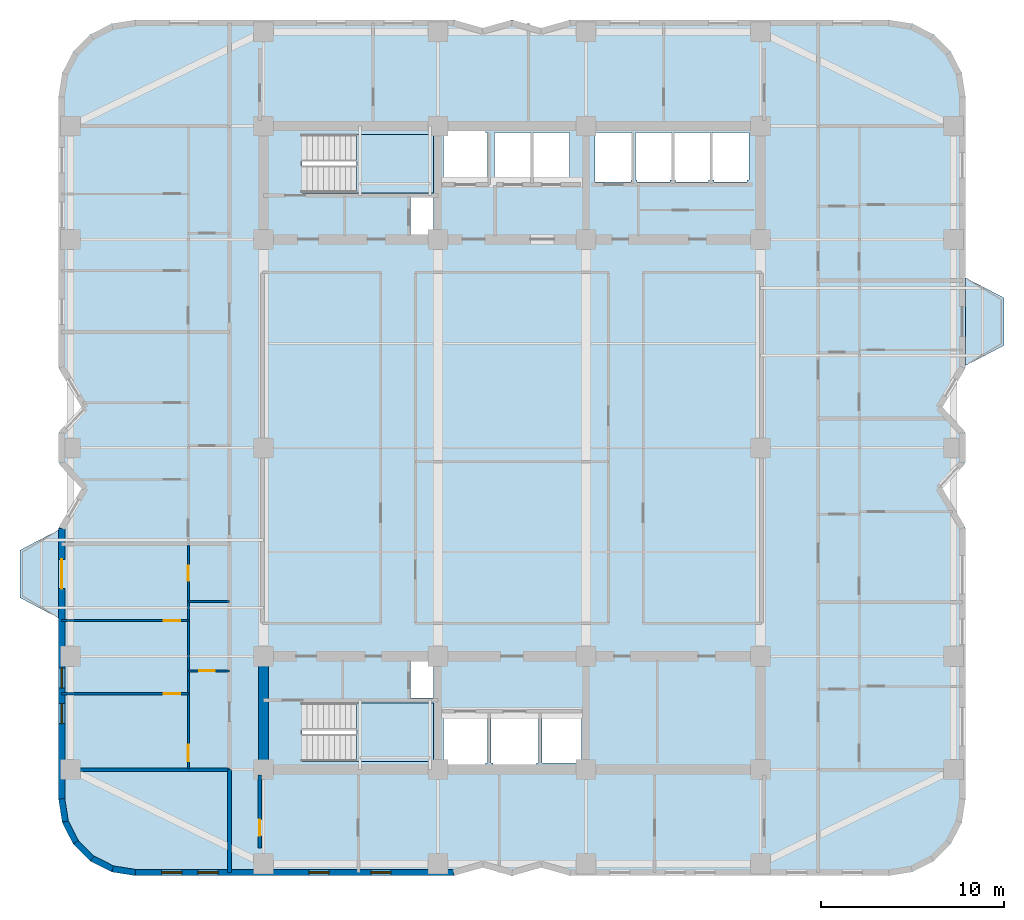
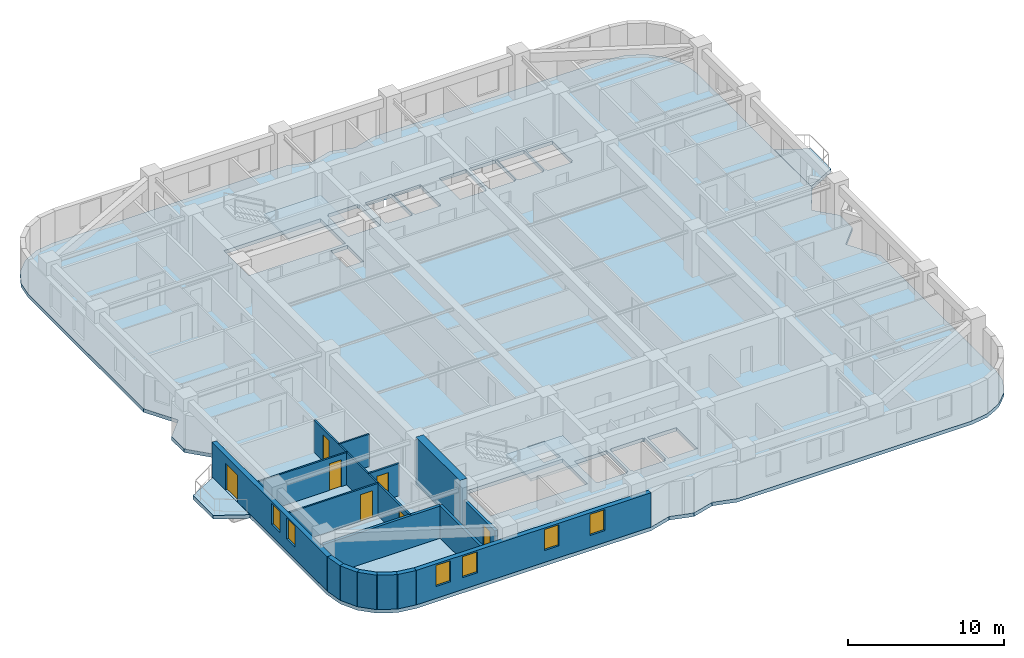
# One storey, part 2 of 10: 16 walls, 7 doors, 6 windows, 5 slabs, 13 openings, 2 elements without a shape of their own.
"""IFC4 building model written with IfcOpenShell, lengths in metres."""

from ifc_helpers import new_model, si_unit, direction, frame, frame_2d, origin, place, context, subcontext, project, spatial, polyline, rectangle, outline, extrude, material, layer, layer_set, type_object, element, fill, aggregate, save


model = new_model("IFC4")

# Units and contexts
model_context = context("Model", 3, precision=1e-05, world=origin(), true_north=direction((0.0, 1.0)))
body_context = subcontext(model_context, "Body", "Model", "MODEL_VIEW")
ifc_project = project(units=[si_unit("LENGTHUNIT", "METRE"), si_unit("AREAUNIT", "SQUARE_METRE"), si_unit("VOLUMEUNIT", "CUBIC_METRE"), si_unit("PLANEANGLEUNIT", "RADIAN"), si_unit("MASSUNIT", "GRAM", prefix="KILO")], contexts=[model_context])

# Site, building, storey
site_placement = place(None, origin())
site = spatial("IfcSite", under=ifc_project, at=site_placement, CompositionType="ELEMENT")
building_placement = place(site_placement, origin())
building = spatial("IfcBuilding", under=site, at=building_placement, Name="Svetorya Sky Lyceum", CompositionType="ELEMENT")
storey_placement = place(building_placement, frame((0.0, 0.0, 114.199951171875)))
storey = spatial("IfcBuildingStorey", under=building, at=storey_placement, Name="L28", CompositionType="ELEMENT", Elevation=114.199951171875)

# Slabs
ifc_material_1 = material(Name="Concrete C40/50", Category="concrete")
ifc_layer_1 = layer(ifc_material_1, 0.280029296875)
ifc_layer_set_1 = layer_set([ifc_layer_1], Name="Concrete C40/50")
slab_type_1 = type_object("IfcSlabType", Name="SL-BAL-280", PredefinedType="FLOOR", material=ifc_layer_set_1)
slab_1_placement = place(storey_placement, frame((0.0, 0.0, -0.280029296875)))
element("IfcSlab", 1, at=slab_1_placement, inside=storey, type_object=slab_type_1, Name="L28 Chamfered Loggia Balcony BAL-W1", PredefinedType="FLOOR", context=body_context, shape_type="SweptSolid", body=[
    extrude(outline(polyline([(14.389892578125, 18.89990234375), (14.389892578125, 23.699951171875), (12.2900390625, 22.60009765625), (12.2900390625, 20.0), (14.389892578125, 18.89990234375)])), origin(), (0.0, 0.0, 1.0), 0.280029296875),
])
slab_2_placement = place(storey_placement, frame((0.0, 0.0, -0.280029296875)))
element("IfcSlab", 2, at=slab_2_placement, inside=storey, type_object=slab_type_1, Name="L28 Chamfered Loggia Balcony BAL-E1", PredefinedType="FLOOR", context=body_context, shape_type="SweptSolid", body=[
    extrude(outline(polyline([(64.010009765625, 32.699951171875), (66.110107421875, 33.800048828125), (66.110107421875, 36.39990234375), (64.010009765625, 37.5), (64.010009765625, 32.699951171875)])), origin(), (0.0, 0.0, 1.0), 0.280029296875),
])

# Stair, slab
stair_type_1 = type_object("IfcStairType", Name="STR-ST-S", PredefinedType="HALF_TURN_STAIR", material=ifc_material_1)
stair_1_placement = place(storey_placement, origin())
stair_1 = element("IfcStair", 3, at=stair_1_placement, inside=storey, type_object=stair_type_1, Name="L28 South Core Smoke-Free Exit Stair N2", PredefinedType="HALF_TURN_STAIR")
ifc_layer_2 = layer(ifc_material_1, 0.199951171875)
ifc_layer_set_2 = layer_set([ifc_layer_2], Name="Concrete C40/50")
slab_type_2 = type_object("IfcSlabType", Name="SL-STR-LAND-200", PredefinedType="LANDING", material=ifc_layer_set_2)
slab_3_placement = place(storey_placement, frame((0.0, 0.0, 1.650146484375)))
slab_3 = element("IfcSlab", 4, at=slab_3_placement, type_object=slab_type_2, Name="ST-S landing 1", PredefinedType="LANDING", context=body_context, shape_type="SweptSolid", body=[
    extrude(outline(polyline([(30.699951171875, 11.050048828125), (34.89990234375, 11.050048828125), (34.89990234375, 14.25), (30.699951171875, 14.25), (30.699951171875, 11.050048828125)])), origin(), (0.0, 0.0, 1.0), 0.199951171875),
])
aggregate(stair_1, [slab_3])

stair_type_2 = type_object("IfcStairType", Name="STR-ST-N", PredefinedType="HALF_TURN_STAIR", material=ifc_material_1)
stair_2_placement = place(storey_placement, origin())
stair_2 = element("IfcStair", 5, at=stair_2_placement, inside=storey, type_object=stair_type_2, Name="L28 North Core Smoke-Free Exit Stair N3", PredefinedType="HALF_TURN_STAIR")
slab_4_placement = place(storey_placement, frame((0.0, 0.0, 1.650146484375)))
slab_4 = element("IfcSlab", 6, at=slab_4_placement, type_object=slab_type_2, Name="ST-N landing 1", PredefinedType="LANDING", context=body_context, shape_type="SweptSolid", body=[
    extrude(outline(polyline([(30.699951171875, 42.14990234375), (34.89990234375, 42.14990234375), (34.89990234375, 45.35009765625), (30.699951171875, 45.35009765625), (30.699951171875, 42.14990234375)])), origin(), (0.0, 0.0, 1.0), 0.199951171875),
])
aggregate(stair_2, [slab_4])

# Slab
ifc_material_2 = material(Name="Concrete C50/60", Category="concrete")
ifc_layer_3 = layer(ifc_material_2, 0.280029296875)
ifc_layer_set_3 = layer_set([ifc_layer_3], Name="Concrete C50/60")
slab_type_3 = type_object("IfcSlabType", Name="SL-TWR-280", PredefinedType="FLOOR", material=ifc_layer_set_3)
slab_5_placement = place(storey_placement, frame((0.0, 0.0, -0.280029296875)))
element("IfcSlab", 7, at=slab_5_placement, inside=storey, type_object=slab_type_3, Name="L28 Structural Floor Slab", PredefinedType="FLOOR", context=body_context, shape_type="SweptSolid", body=[
    extrude(outline(polyline([(14.39990234375, 9.0), (14.605712890625, 7.7021484375), (15.2021484375, 6.53125), (16.13134765625, 5.60205078125), (17.302001953125, 5.005615234375), (18.60009765625, 4.800048828125), (36.0, 4.800048828125), (37.60009765625, 5.25), (39.199951171875, 4.800048828125), (40.800048828125, 5.25), (42.39990234375, 4.800048828125), (59.800048828125, 4.800048828125), (61.097900390625, 5.005615234375), (62.268798828125, 5.60205078125), (63.197998046875, 6.53125), (63.79443359375, 7.7021484375), (64.0, 9.0), (64.0, 23.800048828125), (62.699951171875, 26.0), (64.0, 27.39990234375), (64.0, 29.0), (62.699951171875, 30.39990234375), (64.0, 32.60009765625), (64.0, 47.39990234375), (63.79443359375, 48.697998046875), (63.197998046875, 49.86865234375), (62.268798828125, 50.7978515625), (61.097900390625, 51.394287109375), (59.800048828125, 51.60009765625), (42.39990234375, 51.60009765625), (40.800048828125, 51.14990234375), (39.199951171875, 51.60009765625), (37.60009765625, 51.14990234375), (36.0, 51.60009765625), (18.60009765625, 51.60009765625), (17.302001953125, 51.394287109375), (16.13134765625, 50.7978515625), (15.2021484375, 49.86865234375), (14.605712890625, 48.697998046875), (14.39990234375, 47.39990234375), (14.39990234375, 32.60009765625), (15.699951171875, 30.39990234375), (14.39990234375, 29.0), (14.39990234375, 27.39990234375), (15.699951171875, 26.0), (14.39990234375, 23.800048828125), (14.39990234375, 9.0)]), holes=[polyline([(37.85009765625, 10.949951171875), (37.75, 10.949951171875), (37.75, 10.85009765625), (35.550048828125, 10.85009765625), (35.550048828125, 10.949951171875), (35.449951171875, 10.949951171875), (35.449951171875, 13.64990234375), (35.550048828125, 13.64990234375), (37.75, 13.64990234375), (37.85009765625, 13.64990234375), (37.85009765625, 10.949951171875)]), polyline([(40.64990234375, 13.64990234375), (40.64990234375, 10.949951171875), (40.550048828125, 10.949951171875), (40.550048828125, 10.800048828125), (38.14990234375, 10.800048828125), (38.14990234375, 10.949951171875), (38.050048828125, 10.949951171875), (38.050048828125, 13.64990234375), (38.14990234375, 13.64990234375), (38.14990234375, 13.699951171875), (40.550048828125, 13.699951171875), (40.550048828125, 13.64990234375), (40.64990234375, 13.64990234375)]), polyline([(27.719970703125, 14.25), (34.89990234375, 14.25), (34.89990234375, 11.050048828125), (27.719970703125, 11.050048828125), (27.719970703125, 14.25)]), polyline([(33.64990234375, 14.52001953125), (33.64990234375, 16.580078125), (34.89990234375, 16.580078125), (34.89990234375, 14.52001953125), (33.64990234375, 14.52001953125)]), polyline([(33.64990234375, 41.89990234375), (34.89990234375, 41.89990234375), (34.89990234375, 39.820068359375), (33.64990234375, 39.820068359375), (33.64990234375, 41.89990234375)]), polyline([(27.719970703125, 45.35009765625), (34.89990234375, 45.35009765625), (34.89990234375, 42.14990234375), (27.719970703125, 42.14990234375), (27.719970703125, 45.35009765625)]), polyline([(37.75, 45.550048828125), (37.75, 45.449951171875), (37.85009765625, 45.449951171875), (37.85009765625, 42.75), (37.75, 42.75), (35.550048828125, 42.75), (35.449951171875, 42.75), (35.449951171875, 45.449951171875), (35.550048828125, 45.449951171875), (35.550048828125, 45.550048828125), (37.75, 45.550048828125)]), polyline([(38.39990234375, 42.85009765625), (38.25, 42.85009765625), (38.25, 45.449951171875), (38.39990234375, 45.449951171875), (40.199951171875, 45.449951171875), (40.25, 45.449951171875), (40.25, 42.85009765625), (40.199951171875, 42.85009765625), (40.199951171875, 42.75), (38.39990234375, 42.75), (38.39990234375, 42.85009765625)]), polyline([(40.85009765625, 13.64990234375), (43.0, 13.64990234375), (43.0, 10.949951171875), (40.85009765625, 10.949951171875), (40.85009765625, 13.64990234375)]), polyline([(40.39990234375, 42.85009765625), (40.35009765625, 42.85009765625), (40.35009765625, 45.449951171875), (40.39990234375, 45.449951171875), (42.300048828125, 45.449951171875), (42.35009765625, 45.449951171875), (42.35009765625, 42.85009765625), (42.300048828125, 42.85009765625), (42.300048828125, 42.75), (40.39990234375, 42.75), (40.39990234375, 42.85009765625)]), polyline([(43.75, 42.75), (43.75, 42.85009765625), (43.75, 45.449951171875), (45.699951171875, 45.449951171875), (45.75, 45.449951171875), (45.75, 42.85009765625), (45.699951171875, 42.85009765625), (45.699951171875, 42.75), (43.75, 42.75)]), polyline([(46.050048828125, 42.85009765625), (45.949951171875, 42.85009765625), (45.949951171875, 45.449951171875), (46.050048828125, 45.449951171875), (47.85009765625, 45.449951171875), (47.949951171875, 45.449951171875), (47.949951171875, 42.85009765625), (47.85009765625, 42.85009765625), (47.85009765625, 42.75), (46.050048828125, 42.75), (46.050048828125, 42.85009765625)]), polyline([(48.14990234375, 42.85009765625), (48.050048828125, 42.85009765625), (48.050048828125, 45.449951171875), (48.14990234375, 45.449951171875), (49.949951171875, 45.449951171875), (50.050048828125, 45.449951171875), (50.050048828125, 42.85009765625), (49.949951171875, 42.85009765625), (49.949951171875, 42.75), (48.14990234375, 42.75), (48.14990234375, 42.85009765625)]), polyline([(52.14990234375, 42.85009765625), (52.050048828125, 42.85009765625), (52.050048828125, 42.75), (50.25, 42.75), (50.25, 42.85009765625), (50.14990234375, 42.85009765625), (50.14990234375, 45.449951171875), (50.25, 45.449951171875), (52.050048828125, 45.449951171875), (52.14990234375, 45.449951171875), (52.14990234375, 42.85009765625)])]), origin(), (0.0, 0.0, 1.0), 0.280029296875),
])

# Walls
ifc_material_3 = material(Name="Concrete C60/75", Category="concrete")
ifc_layer_4 = layer(ifc_material_3, 0.550048828125)
ifc_layer_set_4 = layer_set([ifc_layer_4], Name="Concrete C60/75")
wall_type_1 = type_object("IfcWallType", Name="WL-CORE-550", PredefinedType="SHEAR", material=ifc_layer_set_4)
wall_1_placement = place(storey_placement, frame((25.60009765625, 10.875, 0.0), z_axis=(0.0, 0.0, 1.0), x_axis=(0.0, 1.0, 0.0)))
element("IfcWall", 8, at=wall_1_placement, inside=storey, type_object=wall_type_1, Name="L28 SC West Core Shear Wall", PredefinedType="SHEAR", context=body_context, shape_type="SweptSolid", body=[
    extrude(rectangle(XDim=5.64990234375, YDim=0.550048828125, at=frame_2d((2.824951171875, 0.0))), origin(), (0.0, 0.0, 1.0), 3.699951171875),
])
ifc_material_4 = material(Name="Putilovo limestone rainscreen on autoclaved cellular masonry", Category="masonry")
ifc_layer_5 = layer(ifc_material_4, 0.340087890625)
ifc_layer_set_5 = layer_set([ifc_layer_5], Name="Putilovo limestone rainscreen on autoclaved cellular masonry")
wall_type_2 = type_object("IfcWallType", Name="WL-EXT-340", PredefinedType="SOLIDWALL", material=ifc_layer_set_5)
wall_2_placement = place(storey_placement, frame((14.570068359375, 9.0, 0.0), z_axis=(0.0, 0.0, 1.0), x_axis=(0.156260864002, -0.98771582066, 0.0)))
element("IfcWall", 9, at=wall_2_placement, inside=storey, type_object=wall_type_2, Name="L28 Limestone Exterior Wall 1M", PredefinedType="SOLIDWALL", context=body_context, shape_type="SweptSolid", body=[
    extrude(rectangle(XDim=1.2607421875, YDim=0.340087890625, at=frame_2d((0.63037109375, 0.0))), origin(), (0.0, 0.0, 1.0), 2.699951171875),
])
wall_3_placement = place(storey_placement, frame((14.76708984375, 7.754638671875, 0.0), z_axis=(0.0, 0.0, 1.0), x_axis=(0.454015689056, -0.890993689142, 0.0)))
element("IfcWall", 10, at=wall_3_placement, inside=storey, type_object=wall_type_2, Name="L28 Limestone Exterior Wall 2M", PredefinedType="SOLIDWALL", context=body_context, shape_type="SweptSolid", body=[
    extrude(rectangle(XDim=1.260986328125, YDim=0.340087890625, at=frame_2d((0.63037109375, 0.0))), origin(), (0.0, 0.0, 1.0), 2.699951171875),
])
wall_4_placement = place(storey_placement, frame((15.339599609375, 6.631103515625, 0.0), z_axis=(0.0, 0.0, 1.0), x_axis=(0.707203598708, -0.707009950407, 0.0)))
element("IfcWall", 11, at=wall_4_placement, inside=storey, type_object=wall_type_2, Name="L28 Limestone Exterior Wall 3M", PredefinedType="SOLIDWALL", context=body_context, shape_type="SweptSolid", body=[
    extrude(rectangle(XDim=1.2607421875, YDim=0.340087890625, at=frame_2d((0.63037109375, 0.0))), origin(), (0.0, 0.0, 1.0), 2.699951171875),
])
for number, where, z_axis, x_axis, name in (
    (12, (16.231201171875, 5.73974609375, 0.0), (0.0, 0.0, 1.0), (0.890993689142, -0.454015689056, 0.0), "L28 Limestone Exterior Wall 4M"),
    (13, (17.354736328125, 5.167236328125, 0.0), (0.0, 0.0, 1.0), (0.987685918112, -0.15644975923, 0.0), "L28 Limestone Exterior Wall 5M"),
):
    element("IfcWall", number, at=place(storey_placement, frame(where, z_axis=z_axis, x_axis=x_axis)), inside=storey, type_object=wall_type_2, Name=name, PredefinedType="SOLIDWALL", context=body_context, shape_type="SweptSolid", body=[
        extrude(rectangle(XDim=1.260986328125, YDim=0.340087890625, at=frame_2d((0.63037109375, 0.0))), origin(), (0.0, 0.0, 1.0), 2.699951171875),
    ])

# Wall, openings, windows
wall_5_placement = place(storey_placement, frame((18.60009765625, 4.969970703125, 0.0), z_axis=(0.0, 0.0, 1.0), x_axis=(1.0, 0.0, 0.0)))
wall_5 = element("IfcWall", 14, at=wall_5_placement, inside=storey, type_object=wall_type_2, Name="L28 Limestone Exterior Wall 6M", PredefinedType="SOLIDWALL", context=body_context, shape_type="SweptSolid", body=[
    extrude(rectangle(XDim=17.39990234375, YDim=0.340087890625, at=frame_2d((8.699951171875, 0.0))), origin(), (0.0, 0.0, 1.0), 2.699951171875),
])
opening_1_placement = place(wall_5_placement, frame((1.441650390625, 0.0, 0.929931640625)))
opening_1 = element("IfcOpeningElement", 15, at=opening_1_placement, cuts=wall_5, Name="Opening W-R3", PredefinedType="OPENING", context=body_context, shape_type="SweptSolid", body=[
    extrude(rectangle(XDim=1.10009765625, YDim=1.64990234375, at=frame_2d((0.550048828125, 0.824951171875))), frame((0.0, 0.179931640625, 0.0), z_axis=(0.0, -1.0, 0.0), x_axis=(1.0, 0.0, 0.0)), (0.0, 0.0, 1.0), 0.360107421875),
])
opening_2_placement = place(wall_5_placement, frame((3.425048828125, 0.0, 0.929931640625)))
opening_2 = element("IfcOpeningElement", 16, at=opening_2_placement, cuts=wall_5, Name="Opening W-R3", PredefinedType="OPENING", context=body_context, shape_type="SweptSolid", body=[
    extrude(rectangle(XDim=1.10009765625, YDim=1.64990234375, at=frame_2d((0.550048828125, 0.824951171875))), frame((0.0, 0.179931640625, 0.0), z_axis=(0.0, -1.0, 0.0), x_axis=(1.0, 0.0, 0.0)), (0.0, 0.0, 1.0), 0.360107421875),
])
opening_3_placement = place(wall_5_placement, frame((9.49169921875, 0.0, 0.929931640625)))
opening_3 = element("IfcOpeningElement", 17, at=opening_3_placement, cuts=wall_5, Name="Opening W-R3", PredefinedType="OPENING", context=body_context, shape_type="SweptSolid", body=[
    extrude(rectangle(XDim=1.10009765625, YDim=1.64990234375, at=frame_2d((0.550048828125, 0.824951171875))), frame((0.0, 0.179931640625, 0.0), z_axis=(0.0, -1.0, 0.0), x_axis=(1.0, 0.0, 0.0)), (0.0, 0.0, 1.0), 0.360107421875),
])
opening_4_placement = place(wall_5_placement, frame((12.875, 0.0, 0.929931640625)))
opening_4 = element("IfcOpeningElement", 18, at=opening_4_placement, cuts=wall_5, Name="Opening W-R3", PredefinedType="OPENING", context=body_context, shape_type="SweptSolid", body=[
    extrude(rectangle(XDim=1.10009765625, YDim=1.64990234375, at=frame_2d((0.550048828125, 0.824951171875))), frame((0.0, 0.179931640625, 0.0), z_axis=(0.0, -1.0, 0.0), x_axis=(1.0, 0.0, 0.0)), (0.0, 0.0, 1.0), 0.360107421875),
])
ifc_material_5 = material(Name="Thermally broken aluminium frame with triple low-E glazing", Category="aluminium")
window_type = type_object("IfcWindowType", Name="WN-RES-110", PartitioningType="SINGLE_PANEL", PredefinedType="WINDOW", material=ifc_material_5)
window_1_placement = place(opening_1_placement, origin())
window_1 = element("IfcWindow", 19, at=window_1_placement, inside=storey, type_object=window_type, Name="L28 Facade Window W-R3.6M.1", OverallHeight=1.64990234375, OverallWidth=1.10009765625, PartitioningType="SINGLE_PANEL", PredefinedType="WINDOW", context=body_context, shape_type="SweptSolid", body=[
    extrude(rectangle(XDim=1.10009765625, YDim=1.64990234375, at=frame_2d((0.550048828125, 0.824951171875))), frame((0.0, 0.030029296875, 0.0), z_axis=(0.0, -1.0, 0.0), x_axis=(1.0, 0.0, 0.0)), (0.0, 0.0, 1.0), 0.06005859375),
])
fill(opening_1, window_1)
window_2_placement = place(opening_2_placement, origin())
window_2 = element("IfcWindow", 20, at=window_2_placement, inside=storey, type_object=window_type, Name="L28 Facade Window W-R3.6M.2", OverallHeight=1.64990234375, OverallWidth=1.10009765625, PartitioningType="SINGLE_PANEL", PredefinedType="WINDOW", context=body_context, shape_type="SweptSolid", body=[
    extrude(rectangle(XDim=1.10009765625, YDim=1.64990234375, at=frame_2d((0.550048828125, 0.824951171875))), frame((0.0, 0.030029296875, 0.0), z_axis=(0.0, -1.0, 0.0), x_axis=(1.0, 0.0, 0.0)), (0.0, 0.0, 1.0), 0.06005859375),
])
fill(opening_2, window_2)
window_3_placement = place(opening_3_placement, origin())
window_3 = element("IfcWindow", 21, at=window_3_placement, inside=storey, type_object=window_type, Name="L28 Facade Window W-R3.6M.3", OverallHeight=1.64990234375, OverallWidth=1.10009765625, PartitioningType="SINGLE_PANEL", PredefinedType="WINDOW", context=body_context, shape_type="SweptSolid", body=[
    extrude(rectangle(XDim=1.10009765625, YDim=1.64990234375, at=frame_2d((0.550048828125, 0.824951171875))), frame((0.0, 0.030029296875, 0.0), z_axis=(0.0, -1.0, 0.0), x_axis=(1.0, 0.0, 0.0)), (0.0, 0.0, 1.0), 0.06005859375),
])
fill(opening_3, window_3)
window_4_placement = place(opening_4_placement, origin())
window_4 = element("IfcWindow", 22, at=window_4_placement, inside=storey, type_object=window_type, Name="L28 Facade Window W-R3.6M.4", OverallHeight=1.64990234375, OverallWidth=1.10009765625, PartitioningType="SINGLE_PANEL", PredefinedType="WINDOW", context=body_context, shape_type="SweptSolid", body=[
    extrude(rectangle(XDim=1.10009765625, YDim=1.64990234375, at=frame_2d((0.550048828125, 0.824951171875))), frame((0.0, 0.030029296875, 0.0), z_axis=(0.0, -1.0, 0.0), x_axis=(1.0, 0.0, 0.0)), (0.0, 0.0, 1.0), 0.06005859375),
])
fill(opening_4, window_4)

# Wall, openings, door, windows
wall_6_placement = place(storey_placement, frame((14.570068359375, 23.800048828125, 0.0), z_axis=(0.0, 0.0, 1.0), x_axis=(0.0, -1.0, 0.0)))
wall_6 = element("IfcWall", 23, at=wall_6_placement, inside=storey, type_object=wall_type_2, Name="L28 Limestone Exterior Wall 46M", PredefinedType="SOLIDWALL", context=body_context, shape_type="SweptSolid", body=[
    extrude(rectangle(XDim=14.800048828125, YDim=0.340087890625, at=frame_2d((7.39990234375, 0.0))), origin(), (0.0, 0.0, 1.0), 2.699951171875),
])
opening_5_placement = place(wall_6_placement, frame((1.699951171875, 0.0, 0.0)))
opening_5 = element("IfcOpeningElement", 24, at=opening_5_placement, cuts=wall_6, Name="Opening D-BL1", PredefinedType="OPENING", context=body_context, shape_type="SweptSolid", body=[
    extrude(rectangle(XDim=1.60009765625, YDim=2.10009765625, at=frame_2d((0.800048828125, 1.050048828125))), frame((0.0, 0.179931640625, 0.0), z_axis=(0.0, -1.0, 0.0), x_axis=(1.0, 0.0, 0.0)), (0.0, 0.0, 1.0), 0.360107421875),
])
opening_6_placement = place(wall_6_placement, frame((7.639892578125, 0.0, 0.889892578125)))
opening_6 = element("IfcOpeningElement", 25, at=opening_6_placement, cuts=wall_6, Name="Opening W-R3", PredefinedType="OPENING", context=body_context, shape_type="SweptSolid", body=[
    extrude(rectangle(XDim=1.10009765625, YDim=1.64990234375, at=frame_2d((0.550048828125, 0.824951171875))), frame((0.0, 0.179931640625, 0.0), z_axis=(0.0, -1.0, 0.0), x_axis=(1.0, 0.0, 0.0)), (0.0, 0.0, 1.0), 0.360107421875),
])
opening_7_placement = place(wall_6_placement, frame((9.58740234375, 0.0, 0.929931640625)))
opening_7 = element("IfcOpeningElement", 26, at=opening_7_placement, cuts=wall_6, Name="Opening W-R3", PredefinedType="OPENING", context=body_context, shape_type="SweptSolid", body=[
    extrude(rectangle(XDim=1.10009765625, YDim=1.64990234375, at=frame_2d((0.550048828125, 0.824951171875))), frame((0.0, 0.179931640625, 0.0), z_axis=(0.0, -1.0, 0.0), x_axis=(1.0, 0.0, 0.0)), (0.0, 0.0, 1.0), 0.360107421875),
])
ifc_material_6 = material(Name="Insulated glazed aluminium balcony door", Category="aluminium")
door_type_1 = type_object("IfcDoorType", Name="DR-BAL-1600", OperationType="DOUBLE_DOOR_SINGLE_SWING", PredefinedType="DOOR", material=ifc_material_6)
door_1_placement = place(opening_5_placement, origin())
door_1 = element("IfcDoor", 27, at=door_1_placement, inside=storey, type_object=door_type_1, Name="L28 Balcony BAL-W1 Door", OperationType="DOUBLE_DOOR_SINGLE_SWING", OverallHeight=2.10009765625, OverallWidth=1.60009765625, PredefinedType="DOOR", context=body_context, shape_type="SweptSolid", body=[
    extrude(rectangle(XDim=1.60009765625, YDim=2.10009765625, at=frame_2d((0.800048828125, 1.050048828125))), frame((0.0, 0.02490234375, 0.0), z_axis=(0.0, -1.0, 0.0), x_axis=(1.0, 0.0, 0.0)), (0.0, 0.0, 1.0), 0.050048828125),
])
fill(opening_5, door_1)
window_5_placement = place(opening_6_placement, origin())
window_5 = element("IfcWindow", 28, at=window_5_placement, inside=storey, type_object=window_type, Name="L28 Facade Window W-R3.46M.2", OverallHeight=1.64990234375, OverallWidth=1.10009765625, PartitioningType="SINGLE_PANEL", PredefinedType="WINDOW", context=body_context, shape_type="SweptSolid", body=[
    extrude(rectangle(XDim=1.10009765625, YDim=1.64990234375, at=frame_2d((0.550048828125, 0.824951171875))), frame((0.0, 0.030029296875, 0.0), z_axis=(0.0, -1.0, 0.0), x_axis=(1.0, 0.0, 0.0)), (0.0, 0.0, 1.0), 0.06005859375),
])
fill(opening_6, window_5)
window_6_placement = place(opening_7_placement, origin())
window_6 = element("IfcWindow", 29, at=window_6_placement, inside=storey, type_object=window_type, Name="L28 Facade Window W-R3.46M.1", OverallHeight=1.64990234375, OverallWidth=1.10009765625, PartitioningType="SINGLE_PANEL", PredefinedType="WINDOW", context=body_context, shape_type="SweptSolid", body=[
    extrude(rectangle(XDim=1.10009765625, YDim=1.64990234375, at=frame_2d((0.550048828125, 0.824951171875))), frame((0.0, 0.030029296875, 0.0), z_axis=(0.0, -1.0, 0.0), x_axis=(1.0, 0.0, 0.0)), (0.0, 0.0, 1.0), 0.06005859375),
])
fill(opening_7, window_6)

# Wall, opening, door
ifc_material_7 = material(Name="Twin-stud galvanized framing with double fireboard", Category="gypsum")
ifc_layer_6 = layer(ifc_material_7, 0.1201171875)
ifc_layer_set_6 = layer_set([ifc_layer_6], Name="Twin-stud galvanized framing with double fireboard")
wall_type_3 = type_object("IfcWallType", Name="WL-PART-120", PredefinedType="PARTITIONING", material=ifc_layer_set_6)
wall_7_placement = place(storey_placement, frame((21.5, 16.0, 0.0), z_axis=(0.0, 0.0, 1.0), x_axis=(1.0, 0.0, 0.0)))
wall_7 = element("IfcWall", 30, at=wall_7_placement, inside=storey, type_object=wall_type_3, Name="L28 Interior Partition W1-WH1", PredefinedType="PARTITIONING", context=body_context, shape_type="SweptSolid", body=[
    extrude(rectangle(XDim=2.25, YDim=0.1201171875, at=frame_2d((1.125, 0.0))), origin(), (0.0, 0.0, 1.0), 2.530029296875),
])
opening_8_placement = place(wall_7_placement, frame((0.60009765625, 0.0, 0.0)))
opening_8 = element("IfcOpeningElement", 31, at=opening_8_placement, cuts=wall_7, Name="Opening D-BT1", PredefinedType="OPENING", context=body_context, shape_type="SweptSolid", body=[
    extrude(rectangle(XDim=0.85009765625, YDim=2.10009765625, at=frame_2d((0.425048828125, 1.050048828125))), frame((0.0, 0.070068359375, 0.0), z_axis=(0.0, -1.0, 0.0), x_axis=(1.0, 0.0, 0.0)), (0.0, 0.0, 1.0), 0.14013671875),
])
ifc_material_8 = material(Name="Moisture-resistant laminate bathroom door")
door_type_2 = type_object("IfcDoorType", Name="DR-WET-850", OperationType="SINGLE_SWING_LEFT", PredefinedType="DOOR", material=ifc_material_8)
door_2_placement = place(opening_8_placement, origin())
door_2 = element("IfcDoor", 32, at=door_2_placement, inside=storey, type_object=door_type_2, Name="Apartment W1 Bathroom Door", OperationType="SINGLE_SWING_LEFT", OverallHeight=2.10009765625, OverallWidth=0.85009765625, PredefinedType="DOOR", context=body_context, shape_type="SweptSolid", body=[
    extrude(rectangle(XDim=0.85009765625, YDim=2.10009765625, at=frame_2d((0.425048828125, 1.050048828125))), frame((0.0, 0.02490234375, 0.0), z_axis=(0.0, -1.0, 0.0), x_axis=(1.0, 0.0, 0.0)), (0.0, 0.0, 1.0), 0.050048828125),
])
fill(opening_8, door_2)

# Wall
wall_8_placement = place(storey_placement, frame((21.5, 19.800048828125, 0.0), z_axis=(0.0, 0.0, 1.0), x_axis=(1.0, 0.0, 0.0)))
element("IfcWall", 33, at=wall_8_placement, inside=storey, type_object=wall_type_3, Name="L28 Interior Partition W1-WH2", PredefinedType="PARTITIONING", context=body_context, shape_type="SweptSolid", body=[
    extrude(rectangle(XDim=2.25, YDim=0.1201171875, at=frame_2d((1.125, 0.0))), origin(), (0.0, 0.0, 1.0), 2.530029296875),
])

# Wall, opening, door
wall_9_placement = place(storey_placement, frame((14.570068359375, 14.75, 0.0), z_axis=(0.0, 0.0, 1.0), x_axis=(1.0, 0.0, 0.0)))
wall_9 = element("IfcWall", 34, at=wall_9_placement, inside=storey, type_object=wall_type_3, Name="L28 Interior Partition W1-WL1", PredefinedType="PARTITIONING", context=body_context, shape_type="SweptSolid", body=[
    extrude(rectangle(XDim=6.929931640625, YDim=0.1201171875, at=frame_2d((3.46484375, 0.0))), origin(), (0.0, 0.0, 1.0), 2.530029296875),
])
opening_9_placement = place(wall_9_placement, frame((5.580078125, 0.0, 0.0)))
opening_9 = element("IfcOpeningElement", 35, at=opening_9_placement, cuts=wall_9, Name="Opening D-RM1", PredefinedType="OPENING", context=body_context, shape_type="SweptSolid", body=[
    extrude(rectangle(XDim=0.89990234375, YDim=2.10009765625, at=frame_2d((0.449951171875, 1.050048828125))), frame((0.0, 0.070068359375, 0.0), z_axis=(0.0, -1.0, 0.0), x_axis=(1.0, 0.0, 0.0)), (0.0, 0.0, 1.0), 0.14013671875),
])
ifc_material_9 = material(Name="Lacquered birch veneer internal door")
door_type_3 = type_object("IfcDoorType", Name="DR-INT-900", OperationType="SINGLE_SWING_LEFT", PredefinedType="DOOR", material=ifc_material_9)
door_3_placement = place(opening_9_placement, origin())
door_3 = element("IfcDoor", 36, at=door_3_placement, inside=storey, type_object=door_type_3, Name="Apartment W1 Master Bedroom Door", OperationType="SINGLE_SWING_LEFT", OverallHeight=2.10009765625, OverallWidth=0.89990234375, PredefinedType="DOOR", context=body_context, shape_type="SweptSolid", body=[
    extrude(rectangle(XDim=0.89990234375, YDim=2.10009765625, at=frame_2d((0.449951171875, 1.050048828125))), frame((0.0, 0.02490234375, 0.0), z_axis=(0.0, -1.0, 0.0), x_axis=(1.0, 0.0, 0.0)), (0.0, 0.0, 1.0), 0.050048828125),
])
fill(opening_9, door_3)

wall_10_placement = place(storey_placement, frame((14.570068359375, 18.75, 0.0), z_axis=(0.0, 0.0, 1.0), x_axis=(1.0, 0.0, 0.0)))
wall_10 = element("IfcWall", 37, at=wall_10_placement, inside=storey, type_object=wall_type_3, Name="L28 Interior Partition W1-WL2", PredefinedType="PARTITIONING", context=body_context, shape_type="SweptSolid", body=[
    extrude(rectangle(XDim=6.929931640625, YDim=0.1201171875, at=frame_2d((3.46484375, 0.0))), origin(), (0.0, 0.0, 1.0), 2.530029296875),
])
opening_10_placement = place(wall_10_placement, frame((5.580078125, 0.0, 0.0)))
opening_10 = element("IfcOpeningElement", 38, at=opening_10_placement, cuts=wall_10, Name="Opening D-RM1", PredefinedType="OPENING", context=body_context, shape_type="SweptSolid", body=[
    extrude(rectangle(XDim=0.89990234375, YDim=2.10009765625, at=frame_2d((0.449951171875, 1.050048828125))), frame((0.0, 0.070068359375, 0.0), z_axis=(0.0, -1.0, 0.0), x_axis=(1.0, 0.0, 0.0)), (0.0, 0.0, 1.0), 0.14013671875),
])
door_4_placement = place(opening_10_placement, origin())
door_4 = element("IfcDoor", 39, at=door_4_placement, inside=storey, type_object=door_type_3, Name="Apartment W1 Bedroom 2 Door", OperationType="SINGLE_SWING_RIGHT", OverallHeight=2.10009765625, OverallWidth=0.89990234375, PredefinedType="DOOR", context=body_context, shape_type="SweptSolid", body=[
    extrude(rectangle(XDim=0.89990234375, YDim=2.10009765625, at=frame_2d((0.449951171875, 1.050048828125))), frame((0.0, 0.02490234375, 0.0), z_axis=(0.0, -1.0, 0.0), x_axis=(1.0, 0.0, 0.0)), (0.0, 0.0, 1.0), 0.050048828125),
])
fill(opening_10, door_4)

# Wall, openings, doors
wall_11_placement = place(storey_placement, frame((21.5, 10.639892578125, 0.0), z_axis=(0.0, 0.0, 1.0), x_axis=(0.0, 1.0, 0.0)))
wall_11 = element("IfcWall", 40, at=wall_11_placement, inside=storey, type_object=wall_type_3, Name="L28 Interior Partition W1-WV", PredefinedType="PARTITIONING", context=body_context, shape_type="SweptSolid", body=[
    extrude(rectangle(XDim=12.239990234375, YDim=0.1201171875, at=frame_2d((6.1201171875, 0.0))), origin(), (0.0, 0.0, 1.0), 2.530029296875),
])
opening_11_placement = place(wall_11_placement, frame((0.409912109375, 0.0, 0.0)))
opening_11 = element("IfcOpeningElement", 41, at=opening_11_placement, cuts=wall_11, Name="Opening D-RM1", PredefinedType="OPENING", context=body_context, shape_type="SweptSolid", body=[
    extrude(rectangle(XDim=0.89990234375, YDim=2.10009765625, at=frame_2d((0.449951171875, 1.050048828125))), frame((0.0, 0.070068359375, 0.0), z_axis=(0.0, -1.0, 0.0), x_axis=(1.0, 0.0, 0.0)), (0.0, 0.0, 1.0), 0.14013671875),
])
opening_12_placement = place(wall_11_placement, frame((10.294921875, 0.0, 0.0)))
opening_12 = element("IfcOpeningElement", 42, at=opening_12_placement, cuts=wall_11, Name="Opening D-BT2", PredefinedType="OPENING", context=body_context, shape_type="SweptSolid", body=[
    extrude(rectangle(XDim=0.820068359375, YDim=2.080078125, at=frame_2d((0.41015625, 1.0400390625))), frame((0.0, 0.070068359375, 0.0), z_axis=(0.0, -1.0, 0.0), x_axis=(1.0, 0.0, 0.0)), (0.0, 0.0, 1.0), 0.14013671875),
])
door_5_placement = place(opening_11_placement, origin())
door_5 = element("IfcDoor", 43, at=door_5_placement, inside=storey, type_object=door_type_3, Name="Apartment W1 Living Door", OperationType="SINGLE_SWING_RIGHT", OverallHeight=2.10009765625, OverallWidth=0.89990234375, PredefinedType="DOOR", context=body_context, shape_type="SweptSolid", body=[
    extrude(rectangle(XDim=0.89990234375, YDim=2.10009765625, at=frame_2d((0.449951171875, 1.050048828125))), frame((0.0, 0.02490234375, 0.0), z_axis=(0.0, -1.0, 0.0), x_axis=(1.0, 0.0, 0.0)), (0.0, 0.0, 1.0), 0.050048828125),
])
fill(opening_11, door_5)
ifc_material_10 = material(Name="Compact moisture-resistant laminate closet door")
door_type_4 = type_object("IfcDoorType", Name="DR-WET-820", OperationType="SINGLE_SWING_LEFT", PredefinedType="DOOR", material=ifc_material_10)
door_6_placement = place(opening_12_placement, origin())
door_6 = element("IfcDoor", 44, at=door_6_placement, inside=storey, type_object=door_type_4, Name="Apartment W1 Study Door", OperationType="SINGLE_SWING_LEFT", OverallHeight=2.080078125, OverallWidth=0.820068359375, PredefinedType="DOOR", context=body_context, shape_type="SweptSolid", body=[
    extrude(rectangle(XDim=0.820068359375, YDim=2.080078125, at=frame_2d((0.41015625, 1.0400390625))), frame((0.0, 0.02490234375, 0.0), z_axis=(0.0, -1.0, 0.0), x_axis=(1.0, 0.0, 0.0)), (0.0, 0.0, 1.0), 0.050048828125),
])
fill(opening_12, door_6)

# Walls
ifc_material_11 = material(Name="Autoclaved cellular masonry blockwork with gypsum plaster", Category="masonry")
ifc_layer_7 = layer(ifc_material_11, 0.199951171875)
ifc_layer_set_7 = layer_set([ifc_layer_7], Name="Autoclaved cellular masonry blockwork with gypsum plaster")
wall_type_4 = type_object("IfcWallType", Name="WL-PART-200", PredefinedType="PARTITIONING", material=ifc_layer_set_7)
wall_12_placement = place(storey_placement, frame((14.989990234375, 10.60009765625, 0.0), z_axis=(0.0, 0.0, 1.0), x_axis=(1.0, 0.0, 0.0)))
element("IfcWall", 45, at=wall_12_placement, inside=storey, type_object=wall_type_4, Name="L28 Interior Partition W-CAP-S", PredefinedType="PARTITIONING", context=body_context, shape_type="SweptSolid", body=[
    extrude(rectangle(XDim=8.760009765625, YDim=0.199951171875, at=frame_2d((4.3798828125, 0.0))), origin(), (0.0, 0.0, 1.0), 2.530029296875),
])
wall_13_placement = place(storey_placement, frame((23.75, 4.969970703125, 0.0), z_axis=(0.0, 0.0, 1.0), x_axis=(0.0, 1.0, 0.0)))
element("IfcWall", 46, at=wall_13_placement, inside=storey, type_object=wall_type_4, Name="L28 Interior Partition WC-SW-END", PredefinedType="PARTITIONING", context=body_context, shape_type="SweptSolid", body=[
    extrude(rectangle(XDim=5.630126953125, YDim=0.199951171875, at=frame_2d((2.81494140625, 0.0))), origin(), (0.0, 0.0, 1.0), 2.530029296875),
])

# Wall, opening, door
wall_14_placement = place(storey_placement, frame((25.39990234375, 6.320068359375, 0.0), z_axis=(0.0, 0.0, 1.0), x_axis=(0.0, 1.0, 0.0)))
wall_14 = element("IfcWall", 47, at=wall_14_placement, inside=storey, type_object=wall_type_4, Name="L28 Interior Partition S4-EW", PredefinedType="PARTITIONING", context=body_context, shape_type="SweptSolid", body=[
    extrude(rectangle(XDim=3.97998046875, YDim=0.199951171875, at=frame_2d((1.989990234375, 0.0))), origin(), (0.0, 0.0, 1.0), 2.530029296875),
])
opening_13_placement = place(wall_14_placement, frame((0.64990234375, 0.0, 0.0)))
opening_13 = element("IfcOpeningElement", 48, at=opening_13_placement, cuts=wall_14, Name="Opening D-RM1", PredefinedType="OPENING", context=body_context, shape_type="SweptSolid", body=[
    extrude(rectangle(XDim=0.89990234375, YDim=2.10009765625, at=frame_2d((0.449951171875, 1.050048828125))), frame((0.0, 0.10986328125, 0.0), z_axis=(0.0, -1.0, 0.0), x_axis=(1.0, 0.0, 0.0)), (0.0, 0.0, 1.0), 0.219970703125),
])
door_7_placement = place(opening_13_placement, origin())
door_7 = element("IfcDoor", 49, at=door_7_placement, inside=storey, type_object=door_type_3, Name="L28 SW Office Door", OperationType="SINGLE_SWING_LEFT", OverallHeight=2.10009765625, OverallWidth=0.89990234375, PredefinedType="DOOR", context=body_context, shape_type="SweptSolid", body=[
    extrude(rectangle(XDim=0.89990234375, YDim=2.10009765625, at=frame_2d((0.449951171875, 1.050048828125))), frame((0.0, 0.02490234375, 0.0), z_axis=(0.0, -1.0, 0.0), x_axis=(1.0, 0.0, 0.0)), (0.0, 0.0, 1.0), 0.050048828125),
])
fill(opening_13, door_7)

save(model, "model.ifc")
